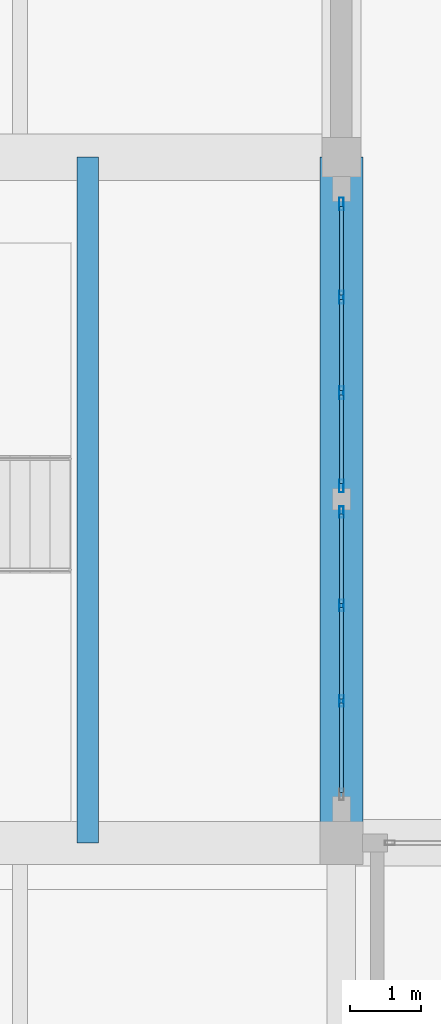
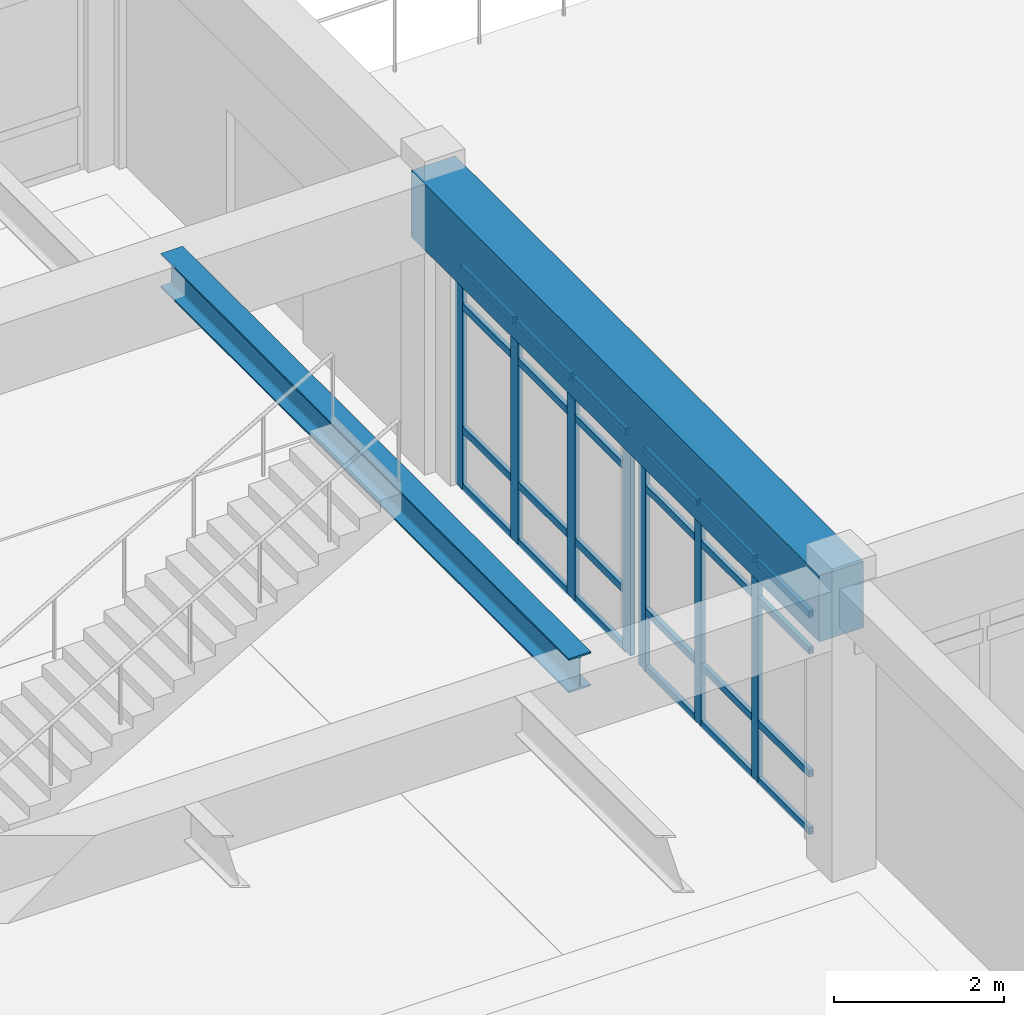
# One storey, part 34 of 109: 31 members, 2 beams, 2 elements without a shape of their own.
"""IFC4 building model written with IfcOpenShell, lengths in metres."""

from ifc_helpers import new_model, si_unit, direction, frame, origin, origin_2d, place, context, subcontext, project, spatial, rectangle, hollow_rectangle, i_section, extrude, material, layer, layer_set, material_profile, profile_set, type_object, element, aggregate, save


model = new_model("IFC4")

# Units and contexts
model_context = context("Model", 3, precision=1e-05, world=origin(), true_north=direction((0.0, 1.0)))
body_context = subcontext(model_context, "Body", "Model", "MODEL_VIEW")
ifc_project = project(units=[si_unit("LENGTHUNIT", "METRE"), si_unit("AREAUNIT", "SQUARE_METRE"), si_unit("VOLUMEUNIT", "CUBIC_METRE"), si_unit("PLANEANGLEUNIT", "RADIAN"), si_unit("MASSUNIT", "GRAM", prefix="KILO")], contexts=[model_context])

# Site, building, storey
site_placement = place(None, origin())
site = spatial("IfcSite", under=ifc_project, at=site_placement, CompositionType="ELEMENT")
building_placement = place(site_placement, origin())
building = spatial("IfcBuilding", under=site, at=building_placement, Name="Fikremerkos Civic Library", CompositionType="ELEMENT")
storey_placement = place(building_placement, frame((0.0, 0.0, 5.39990234375)))
storey = spatial("IfcBuildingStorey", under=building, at=storey_placement, Name="L01", CompositionType="ELEMENT", Elevation=5.39990234375)

# Curtain wall, members
ifc_material_1 = material(Name="Anodized aluminium Frame", Category="aluminium")
ifc_layer_1 = layer(ifc_material_1, 0.159912109375, Name="Anodized aluminium Frame")
ifc_layer_set_1 = layer_set([ifc_layer_1], Name="Anodized aluminium Frame")
curtain_wall_type_1 = type_object("IfcCurtainWallType", Name="Unitised curtain wall CW-05 3800x4100", PredefinedType="USERDEFINED", material=ifc_layer_set_1)
curtain_wall_1_placement = place(storey_placement, origin())
curtain_wall_1 = element("IfcCurtainWall", 1, at=curtain_wall_1_placement, inside=storey, type_object=curtain_wall_type_1, Name="Unitised curtain wall CW-05 L01 #95", ObjectType="UNITISED CURTAIN WALL", PredefinedType="USERDEFINED")
ifc_material_profile_1 = material_profile(ifc_material_1, hollow_rectangle(XDim=0.06494140625, YDim=0.179931640625, WallThickness=0.00439453125, at=origin_2d()), Name="ALU 180x65x4.5")
ifc_profile_set_1 = profile_set([ifc_material_profile_1], Name="Anodized aluminium Frame")
member_type_1 = type_object("IfcMemberType", Name="Curtain mullion CWM-01 ALU 180x65x4.5", PredefinedType="MULLION", material=ifc_profile_set_1)
member_1_placement = place(storey_placement, frame((100.199951171875, 40.14453125, 0.0), z_axis=(0.0, 0.0, 1.0), x_axis=(1.0, 0.0, 0.0)))
member_1 = element("IfcMember", 2, at=member_1_placement, type_object=member_type_1, Name="CW-05 mullion 1", PredefinedType="MULLION", context=body_context, shape_type="SweptSolid", body=[
    extrude(hollow_rectangle(XDim=0.06494140625, YDim=0.179931640625, WallThickness=0.00439453125, at=origin_2d()), origin(), (0.0, 0.0, 1.0), 3.170166015625),
])
member_2_placement = place(storey_placement, frame((100.199951171875, 38.8388671875, 0.0), z_axis=(0.0, 0.0, 1.0), x_axis=(1.0, 0.0, 0.0)))
member_2 = element("IfcMember", 3, at=member_2_placement, type_object=member_type_1, Name="CW-05 mullion 2", PredefinedType="MULLION", context=body_context, shape_type="SweptSolid", body=[
    extrude(hollow_rectangle(XDim=0.06494140625, YDim=0.179931640625, WallThickness=0.00439453125, at=origin_2d()), origin(), (0.0, 0.0, 1.0), 3.170166015625),
])
member_3_placement = place(storey_placement, frame((100.199951171875, 37.500732421875, 0.0), z_axis=(0.0, 0.0, 1.0), x_axis=(1.0, 0.0, 0.0)))
member_3 = element("IfcMember", 4, at=member_3_placement, type_object=member_type_1, Name="CW-05 mullion 3", PredefinedType="MULLION", context=body_context, shape_type="SweptSolid", body=[
    extrude(hollow_rectangle(XDim=0.06494140625, YDim=0.179931640625, WallThickness=0.00439453125, at=origin_2d()), origin(), (0.0, 0.0, 1.0), 3.170166015625),
])
member_4_placement = place(storey_placement, frame((100.199951171875, 36.195068359375, 0.0), z_axis=(0.0, 0.0, 1.0), x_axis=(1.0, 0.0, 0.0)))
member_4 = element("IfcMember", 5, at=member_4_placement, type_object=member_type_1, Name="CW-05 mullion 4", PredefinedType="MULLION", context=body_context, shape_type="SweptSolid", body=[
    extrude(hollow_rectangle(XDim=0.06494140625, YDim=0.179931640625, WallThickness=0.00439453125, at=origin_2d()), origin(), (0.0, 0.0, 1.0), 3.170166015625),
])

ifc_layer_2 = layer(ifc_material_1, 0.159912109375, Name="Anodized aluminium Frame")
ifc_layer_set_2 = layer_set([ifc_layer_2], Name="Anodized aluminium Frame")
curtain_wall_type_2 = type_object("IfcCurtainWallType", Name="Unitised curtain wall CW-06 4200x4100", PredefinedType="USERDEFINED", material=ifc_layer_set_2)
curtain_wall_2_placement = place(storey_placement, origin())
curtain_wall_2 = element("IfcCurtainWall", 6, at=curtain_wall_2_placement, inside=storey, type_object=curtain_wall_type_2, Name="Unitised curtain wall CW-06 L01 #96", ObjectType="UNITISED CURTAIN WALL", PredefinedType="USERDEFINED")
ifc_material_profile_2 = material_profile(ifc_material_1, hollow_rectangle(XDim=0.06005859375, YDim=0.159912109375, WallThickness=0.00390625, at=origin_2d()), Name="ALU 160x60x4")
ifc_profile_set_2 = profile_set([ifc_material_profile_2], Name="Anodized aluminium Frame")
member_type_2 = type_object("IfcMemberType", Name="Curtain mullion CWM-02 ALU 160x60x4", PredefinedType="MULLION", material=ifc_profile_set_2)
member_5_placement = place(storey_placement, frame((100.199951171875, 35.83251953125, 0.0), z_axis=(0.0, 0.0, 1.0), x_axis=(1.0, 0.0, 0.0)))
member_5 = element("IfcMember", 7, at=member_5_placement, type_object=member_type_2, Name="CW-06 mullion 1", PredefinedType="MULLION", context=body_context, shape_type="SweptSolid", body=[
    extrude(hollow_rectangle(XDim=0.06005859375, YDim=0.159912109375, WallThickness=0.00390625, at=origin_2d()), origin(), (0.0, 0.0, 1.0), 3.170166015625),
])
member_6_placement = place(storey_placement, frame((100.199951171875, 34.5244140625, 0.0), z_axis=(0.0, 0.0, 1.0), x_axis=(1.0, 0.0, 0.0)))
member_6 = element("IfcMember", 8, at=member_6_placement, type_object=member_type_2, Name="CW-06 mullion 2", PredefinedType="MULLION", context=body_context, shape_type="SweptSolid", body=[
    extrude(hollow_rectangle(XDim=0.06005859375, YDim=0.159912109375, WallThickness=0.00390625, at=origin_2d()), origin(), (0.0, 0.0, 1.0), 3.170166015625),
])
member_7_placement = place(storey_placement, frame((100.199951171875, 33.186279296875, 0.0), z_axis=(0.0, 0.0, 1.0), x_axis=(1.0, 0.0, 0.0)))
member_7 = element("IfcMember", 9, at=member_7_placement, type_object=member_type_2, Name="CW-06 mullion 3", PredefinedType="MULLION", context=body_context, shape_type="SweptSolid", body=[
    extrude(hollow_rectangle(XDim=0.06005859375, YDim=0.159912109375, WallThickness=0.00390625, at=origin_2d()), origin(), (0.0, 0.0, 1.0), 3.170166015625),
])

# Member
ifc_material_profile_3 = material_profile(ifc_material_1, hollow_rectangle(XDim=0.06005859375, YDim=0.10009765625, WallThickness=0.00390625, at=origin_2d()), Name="ALU 100x60x4")
ifc_profile_set_3 = profile_set([ifc_material_profile_3], Name="Anodized aluminium Frame")
member_type_3 = type_object("IfcMemberType", Name="Curtain transom CWT-03 ALU 100x60x4", PredefinedType="USERDEFINED", material=ifc_profile_set_3)
member_8_placement = place(storey_placement, frame((100.199951171875, 40.112060546875, 0.030029296875), z_axis=(0.0, -1.0, 0.0), x_axis=(1.0, 0.0, 0.0)))
member_8 = element("IfcMember", 10, at=member_8_placement, type_object=member_type_3, Name="CW-05 transom 1.1", ObjectType="TRANSOM", PredefinedType="USERDEFINED", context=body_context, shape_type="SweptSolid", body=[
    extrude(hollow_rectangle(XDim=0.06005859375, YDim=0.10009765625, WallThickness=0.00390625, at=origin_2d()), origin(), (0.0, 0.0, 1.0), 1.24072265625),
])

member_9_placement = place(storey_placement, frame((100.199951171875, 40.112060546875, 0.85009765625), z_axis=(0.0, -1.0, 0.0), x_axis=(1.0, 0.0, 0.0)))
member_9 = element("IfcMember", 11, at=member_9_placement, type_object=member_type_3, Name="CW-05 transom 1.2", ObjectType="TRANSOM", PredefinedType="USERDEFINED", context=body_context, shape_type="SweptSolid", body=[
    extrude(hollow_rectangle(XDim=0.06005859375, YDim=0.10009765625, WallThickness=0.00390625, at=origin_2d()), origin(), (0.0, 0.0, 1.0), 1.24072265625),
])

member_10_placement = place(storey_placement, frame((100.199951171875, 40.112060546875, 2.6201171875), z_axis=(0.0, -1.0, 0.0), x_axis=(1.0, 0.0, 0.0)))
member_10 = element("IfcMember", 12, at=member_10_placement, type_object=member_type_3, Name="CW-05 transom 1.3", ObjectType="TRANSOM", PredefinedType="USERDEFINED", context=body_context, shape_type="SweptSolid", body=[
    extrude(hollow_rectangle(XDim=0.06005859375, YDim=0.10009765625, WallThickness=0.00390625, at=origin_2d()), origin(), (0.0, 0.0, 1.0), 1.24072265625),
])

member_11_placement = place(storey_placement, frame((100.199951171875, 40.112060546875, 3.14013671875), z_axis=(0.0, -1.0, 0.0), x_axis=(1.0, 0.0, 0.0)))
member_11 = element("IfcMember", 13, at=member_11_placement, type_object=member_type_3, Name="CW-05 transom 1.4", ObjectType="TRANSOM", PredefinedType="USERDEFINED", context=body_context, shape_type="SweptSolid", body=[
    extrude(hollow_rectangle(XDim=0.06005859375, YDim=0.10009765625, WallThickness=0.00390625, at=origin_2d()), origin(), (0.0, 0.0, 1.0), 1.24072265625),
])

member_12_placement = place(storey_placement, frame((100.199951171875, 38.806396484375, 0.030029296875), z_axis=(0.0, -1.0, 0.0), x_axis=(1.0, 0.0, 0.0)))
member_12 = element("IfcMember", 14, at=member_12_placement, type_object=member_type_3, Name="CW-05 transom 2.1", ObjectType="TRANSOM", PredefinedType="USERDEFINED", context=body_context, shape_type="SweptSolid", body=[
    extrude(hollow_rectangle(XDim=0.06005859375, YDim=0.10009765625, WallThickness=0.00390625, at=origin_2d()), origin(), (0.0, 0.0, 1.0), 1.273193359375),
])

member_13_placement = place(storey_placement, frame((100.199951171875, 38.806396484375, 0.85009765625), z_axis=(0.0, -1.0, 0.0), x_axis=(1.0, 0.0, 0.0)))
member_13 = element("IfcMember", 15, at=member_13_placement, type_object=member_type_3, Name="CW-05 transom 2.2", ObjectType="TRANSOM", PredefinedType="USERDEFINED", context=body_context, shape_type="SweptSolid", body=[
    extrude(hollow_rectangle(XDim=0.06005859375, YDim=0.10009765625, WallThickness=0.00390625, at=origin_2d()), origin(), (0.0, 0.0, 1.0), 1.273193359375),
])

member_14_placement = place(storey_placement, frame((100.199951171875, 38.806396484375, 2.6201171875), z_axis=(0.0, -1.0, 0.0), x_axis=(1.0, 0.0, 0.0)))
member_14 = element("IfcMember", 16, at=member_14_placement, type_object=member_type_3, Name="CW-05 transom 2.3", ObjectType="TRANSOM", PredefinedType="USERDEFINED", context=body_context, shape_type="SweptSolid", body=[
    extrude(hollow_rectangle(XDim=0.06005859375, YDim=0.10009765625, WallThickness=0.00390625, at=origin_2d()), origin(), (0.0, 0.0, 1.0), 1.273193359375),
])

member_15_placement = place(storey_placement, frame((100.199951171875, 38.806396484375, 3.14013671875), z_axis=(0.0, -1.0, 0.0), x_axis=(1.0, 0.0, 0.0)))
member_15 = element("IfcMember", 17, at=member_15_placement, type_object=member_type_3, Name="CW-05 transom 2.4", ObjectType="TRANSOM", PredefinedType="USERDEFINED", context=body_context, shape_type="SweptSolid", body=[
    extrude(hollow_rectangle(XDim=0.06005859375, YDim=0.10009765625, WallThickness=0.00390625, at=origin_2d()), origin(), (0.0, 0.0, 1.0), 1.273193359375),
])

member_16_placement = place(storey_placement, frame((100.199951171875, 37.46826171875, 0.030029296875), z_axis=(0.0, -1.0, 0.0), x_axis=(1.0, 0.0, 0.0)))
member_16 = element("IfcMember", 18, at=member_16_placement, type_object=member_type_3, Name="CW-05 transom 3.1", ObjectType="TRANSOM", PredefinedType="USERDEFINED", context=body_context, shape_type="SweptSolid", body=[
    extrude(hollow_rectangle(XDim=0.06005859375, YDim=0.10009765625, WallThickness=0.00390625, at=origin_2d()), origin(), (0.0, 0.0, 1.0), 1.24072265625),
])

member_17_placement = place(storey_placement, frame((100.199951171875, 37.46826171875, 0.85009765625), z_axis=(0.0, -1.0, 0.0), x_axis=(1.0, 0.0, 0.0)))
member_17 = element("IfcMember", 19, at=member_17_placement, type_object=member_type_3, Name="CW-05 transom 3.2", ObjectType="TRANSOM", PredefinedType="USERDEFINED", context=body_context, shape_type="SweptSolid", body=[
    extrude(hollow_rectangle(XDim=0.06005859375, YDim=0.10009765625, WallThickness=0.00390625, at=origin_2d()), origin(), (0.0, 0.0, 1.0), 1.24072265625),
])

member_18_placement = place(storey_placement, frame((100.199951171875, 37.46826171875, 2.6201171875), z_axis=(0.0, -1.0, 0.0), x_axis=(1.0, 0.0, 0.0)))
member_18 = element("IfcMember", 20, at=member_18_placement, type_object=member_type_3, Name="CW-05 transom 3.3", ObjectType="TRANSOM", PredefinedType="USERDEFINED", context=body_context, shape_type="SweptSolid", body=[
    extrude(hollow_rectangle(XDim=0.06005859375, YDim=0.10009765625, WallThickness=0.00390625, at=origin_2d()), origin(), (0.0, 0.0, 1.0), 1.24072265625),
])

member_19_placement = place(storey_placement, frame((100.199951171875, 37.46826171875, 3.14013671875), z_axis=(0.0, -1.0, 0.0), x_axis=(1.0, 0.0, 0.0)))
member_19 = element("IfcMember", 21, at=member_19_placement, type_object=member_type_3, Name="CW-05 transom 3.4", ObjectType="TRANSOM", PredefinedType="USERDEFINED", context=body_context, shape_type="SweptSolid", body=[
    extrude(hollow_rectangle(XDim=0.06005859375, YDim=0.10009765625, WallThickness=0.00390625, at=origin_2d()), origin(), (0.0, 0.0, 1.0), 1.24072265625),
])

aggregate(curtain_wall_1, [member_1, member_2, member_3, member_4, member_8, member_9, member_10, member_11, member_12, member_13, member_14, member_15, member_16, member_17, member_18, member_19])

member_20_placement = place(storey_placement, frame((100.199951171875, 35.802490234375, 0.030029296875), z_axis=(0.0, -1.0, 0.0), x_axis=(1.0, 0.0, 0.0)))
member_20 = element("IfcMember", 22, at=member_20_placement, type_object=member_type_3, Name="CW-06 transom 1.1", ObjectType="TRANSOM", PredefinedType="USERDEFINED", context=body_context, shape_type="SweptSolid", body=[
    extrude(hollow_rectangle(XDim=0.06005859375, YDim=0.10009765625, WallThickness=0.00390625, at=origin_2d()), origin(), (0.0, 0.0, 1.0), 1.248046875),
])

member_21_placement = place(storey_placement, frame((100.199951171875, 35.802490234375, 0.85009765625), z_axis=(0.0, -1.0, 0.0), x_axis=(1.0, 0.0, 0.0)))
member_21 = element("IfcMember", 23, at=member_21_placement, type_object=member_type_3, Name="CW-06 transom 1.2", ObjectType="TRANSOM", PredefinedType="USERDEFINED", context=body_context, shape_type="SweptSolid", body=[
    extrude(hollow_rectangle(XDim=0.06005859375, YDim=0.10009765625, WallThickness=0.00390625, at=origin_2d()), origin(), (0.0, 0.0, 1.0), 1.248046875),
])

member_22_placement = place(storey_placement, frame((100.199951171875, 35.802490234375, 2.6201171875), z_axis=(0.0, -1.0, 0.0), x_axis=(1.0, 0.0, 0.0)))
member_22 = element("IfcMember", 24, at=member_22_placement, type_object=member_type_3, Name="CW-06 transom 1.3", ObjectType="TRANSOM", PredefinedType="USERDEFINED", context=body_context, shape_type="SweptSolid", body=[
    extrude(hollow_rectangle(XDim=0.06005859375, YDim=0.10009765625, WallThickness=0.00390625, at=origin_2d()), origin(), (0.0, 0.0, 1.0), 1.248046875),
])

member_23_placement = place(storey_placement, frame((100.199951171875, 35.802490234375, 3.14013671875), z_axis=(0.0, -1.0, 0.0), x_axis=(1.0, 0.0, 0.0)))
member_23 = element("IfcMember", 25, at=member_23_placement, type_object=member_type_3, Name="CW-06 transom 1.4", ObjectType="TRANSOM", PredefinedType="USERDEFINED", context=body_context, shape_type="SweptSolid", body=[
    extrude(hollow_rectangle(XDim=0.06005859375, YDim=0.10009765625, WallThickness=0.00390625, at=origin_2d()), origin(), (0.0, 0.0, 1.0), 1.248046875),
])

member_24_placement = place(storey_placement, frame((100.199951171875, 34.494384765625, 0.030029296875), z_axis=(0.0, -1.0, 0.0), x_axis=(1.0, 0.0, 0.0)))
member_24 = element("IfcMember", 26, at=member_24_placement, type_object=member_type_3, Name="CW-06 transom 2.1", ObjectType="TRANSOM", PredefinedType="USERDEFINED", context=body_context, shape_type="SweptSolid", body=[
    extrude(hollow_rectangle(XDim=0.06005859375, YDim=0.10009765625, WallThickness=0.00390625, at=origin_2d()), origin(), (0.0, 0.0, 1.0), 1.2783203125),
])

member_25_placement = place(storey_placement, frame((100.199951171875, 34.494384765625, 0.85009765625), z_axis=(0.0, -1.0, 0.0), x_axis=(1.0, 0.0, 0.0)))
member_25 = element("IfcMember", 27, at=member_25_placement, type_object=member_type_3, Name="CW-06 transom 2.2", ObjectType="TRANSOM", PredefinedType="USERDEFINED", context=body_context, shape_type="SweptSolid", body=[
    extrude(hollow_rectangle(XDim=0.06005859375, YDim=0.10009765625, WallThickness=0.00390625, at=origin_2d()), origin(), (0.0, 0.0, 1.0), 1.2783203125),
])

member_26_placement = place(storey_placement, frame((100.199951171875, 34.494384765625, 2.6201171875), z_axis=(0.0, -1.0, 0.0), x_axis=(1.0, 0.0, 0.0)))
member_26 = element("IfcMember", 28, at=member_26_placement, type_object=member_type_3, Name="CW-06 transom 2.3", ObjectType="TRANSOM", PredefinedType="USERDEFINED", context=body_context, shape_type="SweptSolid", body=[
    extrude(hollow_rectangle(XDim=0.06005859375, YDim=0.10009765625, WallThickness=0.00390625, at=origin_2d()), origin(), (0.0, 0.0, 1.0), 1.2783203125),
])

member_27_placement = place(storey_placement, frame((100.199951171875, 34.494384765625, 3.14013671875), z_axis=(0.0, -1.0, 0.0), x_axis=(1.0, 0.0, 0.0)))
member_27 = element("IfcMember", 29, at=member_27_placement, type_object=member_type_3, Name="CW-06 transom 2.4", ObjectType="TRANSOM", PredefinedType="USERDEFINED", context=body_context, shape_type="SweptSolid", body=[
    extrude(hollow_rectangle(XDim=0.06005859375, YDim=0.10009765625, WallThickness=0.00390625, at=origin_2d()), origin(), (0.0, 0.0, 1.0), 1.2783203125),
])

member_28_placement = place(storey_placement, frame((100.199951171875, 33.15625, 0.030029296875), z_axis=(0.0, -1.0, 0.0), x_axis=(1.0, 0.0, 0.0)))
member_28 = element("IfcMember", 30, at=member_28_placement, type_object=member_type_3, Name="CW-06 transom 3.1", ObjectType="TRANSOM", PredefinedType="USERDEFINED", context=body_context, shape_type="SweptSolid", body=[
    extrude(hollow_rectangle(XDim=0.06005859375, YDim=0.10009765625, WallThickness=0.00390625, at=origin_2d()), origin(), (0.0, 0.0, 1.0), 1.248291015625),
])

member_29_placement = place(storey_placement, frame((100.199951171875, 33.15625, 0.85009765625), z_axis=(0.0, -1.0, 0.0), x_axis=(1.0, 0.0, 0.0)))
member_29 = element("IfcMember", 31, at=member_29_placement, type_object=member_type_3, Name="CW-06 transom 3.2", ObjectType="TRANSOM", PredefinedType="USERDEFINED", context=body_context, shape_type="SweptSolid", body=[
    extrude(hollow_rectangle(XDim=0.06005859375, YDim=0.10009765625, WallThickness=0.00390625, at=origin_2d()), origin(), (0.0, 0.0, 1.0), 1.248291015625),
])

member_30_placement = place(storey_placement, frame((100.199951171875, 33.15625, 2.6201171875), z_axis=(0.0, -1.0, 0.0), x_axis=(1.0, 0.0, 0.0)))
member_30 = element("IfcMember", 32, at=member_30_placement, type_object=member_type_3, Name="CW-06 transom 3.3", ObjectType="TRANSOM", PredefinedType="USERDEFINED", context=body_context, shape_type="SweptSolid", body=[
    extrude(hollow_rectangle(XDim=0.06005859375, YDim=0.10009765625, WallThickness=0.00390625, at=origin_2d()), origin(), (0.0, 0.0, 1.0), 1.248291015625),
])

member_31_placement = place(storey_placement, frame((100.199951171875, 33.15625, 3.14013671875), z_axis=(0.0, -1.0, 0.0), x_axis=(1.0, 0.0, 0.0)))
member_31 = element("IfcMember", 33, at=member_31_placement, type_object=member_type_3, Name="CW-06 transom 3.4", ObjectType="TRANSOM", PredefinedType="USERDEFINED", context=body_context, shape_type="SweptSolid", body=[
    extrude(hollow_rectangle(XDim=0.06005859375, YDim=0.10009765625, WallThickness=0.00390625, at=origin_2d()), origin(), (0.0, 0.0, 1.0), 1.248291015625),
])

aggregate(curtain_wall_2, [member_5, member_6, member_7, member_20, member_21, member_22, member_23, member_24, member_25, member_26, member_27, member_28, member_29, member_30, member_31])

# Beams
ifc_material_2 = material(Name="Concrete C40/50", Category="concrete")
ifc_material_profile_4 = material_profile(ifc_material_2, rectangle(XDim=0.60009765625, YDim=0.949951171875, at=origin_2d()), Name="RC 600x950")
ifc_profile_set_4 = profile_set([ifc_material_profile_4], Name="Concrete C40/50")
beam_type_1 = type_object("IfcBeamType", Name="Primary girder BM-01 RC 600x950", PredefinedType="BEAM", material=ifc_profile_set_4)
beam_1_placement = place(storey_placement, frame((100.199951171875, 31.199951171875, 3.7451171875), z_axis=(0.0, 1.0, 0.0), x_axis=(-1.0, 0.0, 0.0)))
element("IfcBeam", 34, at=beam_1_placement, inside=storey, type_object=beam_type_1, Name="Primary girder BM-01 L01 grid 9", PredefinedType="BEAM", context=body_context, shape_type="SweptSolid", body=[
    extrude(rectangle(XDim=0.60009765625, YDim=0.949951171875, at=origin_2d()), origin(), (0.0, 0.0, 1.0), 9.60009765625),
])
ifc_material_3 = material(Name="Steel S355", Category="steel")
ifc_material_profile_5 = material_profile(ifc_material_3, i_section(OverallWidth=0.300048828125, OverallDepth=0.489990234375, WebThickness=0.011962890625, FlangeThickness=0.02294921875, FilletRadius=0.027099609375, at=origin_2d()), Name="HEA 500")
ifc_profile_set_5 = profile_set([ifc_material_profile_5], Name="Steel S355")
beam_type_2 = type_object("IfcBeamType", Name="Primary girder BM-17 HEA 500", PredefinedType="BEAM", material=ifc_profile_set_5)
beam_2_placement = place(storey_placement, frame((96.64990234375, 31.199951171875, 3.97509765625), z_axis=(0.0, 1.0, 0.0), x_axis=(-1.0, 0.0, 0.0)))
element("IfcBeam", 35, at=beam_2_placement, inside=storey, type_object=beam_type_2, Name="Feature stair arrival trimmer girder BM-17 L01", PredefinedType="BEAM", context=body_context, shape_type="SweptSolid", body=[
    extrude(i_section(OverallWidth=0.300048828125, OverallDepth=0.489990234375, WebThickness=0.011962890625, FlangeThickness=0.02294921875, FilletRadius=0.027099609375, at=origin_2d()), origin(), (0.0, 0.0, 1.0), 9.60009765625),
])

save(model, "model.ifc")
